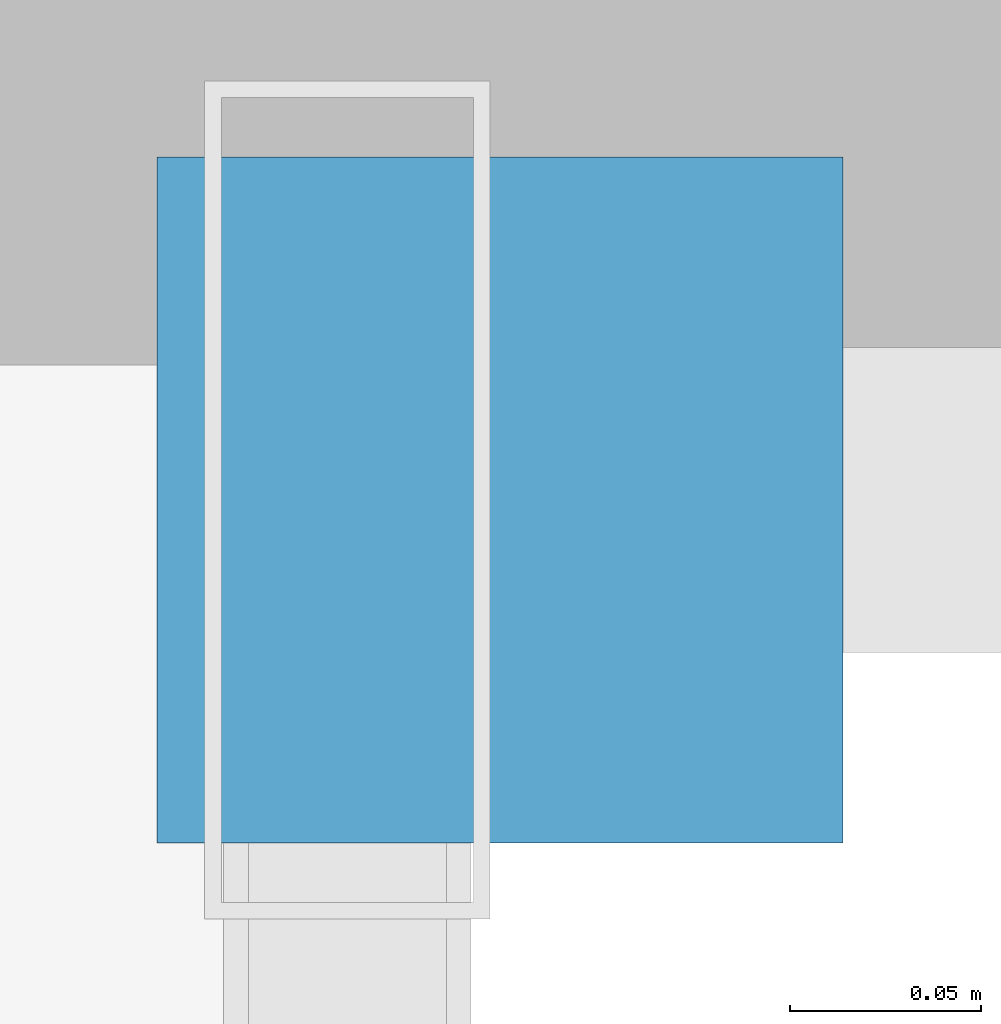
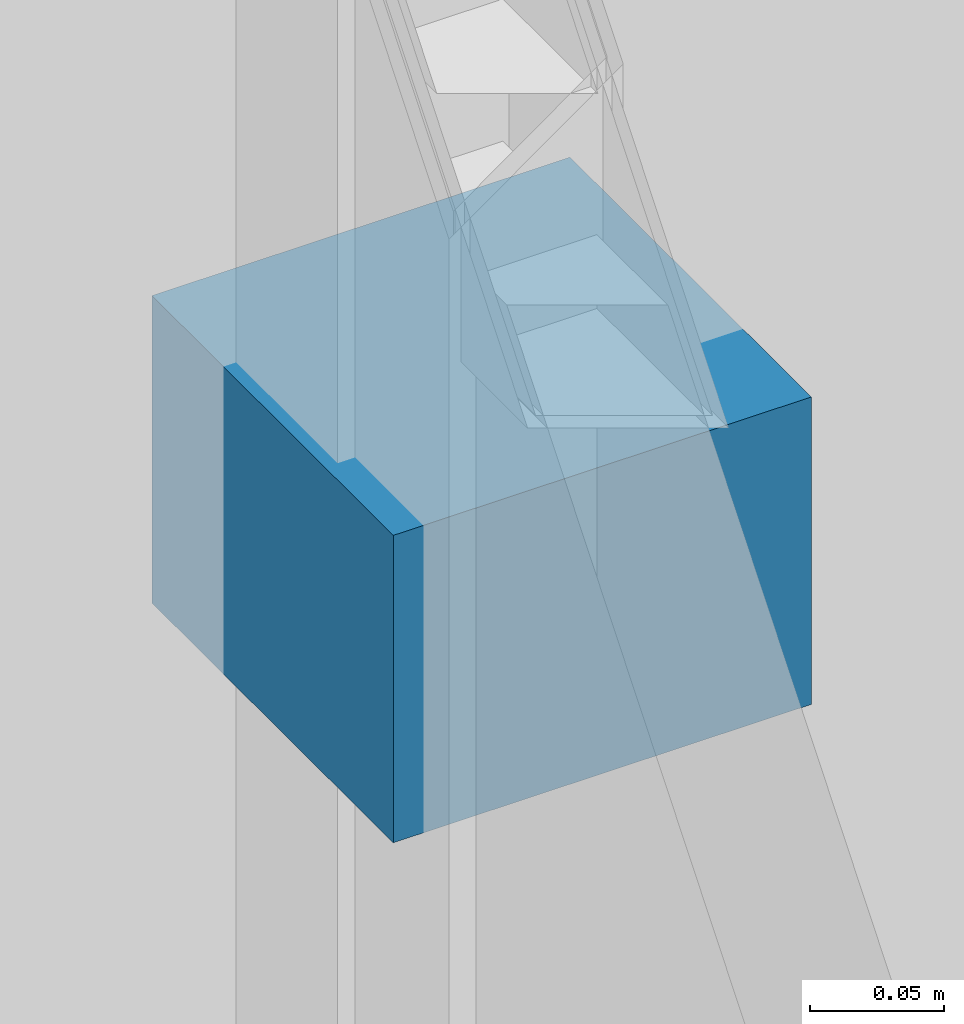
# One storey, part 35 of 41: 1 discrete accessory.
"""IFC4 building model written with IfcOpenShell, lengths in metres."""

from ifc_helpers import new_model, si_unit, direction, frame, origin, origin_2d, place, context, subcontext, project, spatial, rectangle, extrude, material, layer, layer_set, type_object, element, save


model = new_model("IFC4")

# Units and contexts
model_context = context("Model", 3, precision=1e-05, world=origin(), true_north=direction((0.0, 1.0)))
body_context = subcontext(model_context, "Body", "Model", "MODEL_VIEW")
ifc_project = project(units=[si_unit("LENGTHUNIT", "METRE"), si_unit("AREAUNIT", "SQUARE_METRE"), si_unit("VOLUMEUNIT", "CUBIC_METRE"), si_unit("PLANEANGLEUNIT", "RADIAN"), si_unit("MASSUNIT", "GRAM", prefix="KILO")], contexts=[model_context])

# Site, building, storey
site_placement = place(None, origin())
site = spatial("IfcSite", under=ifc_project, at=site_placement, CompositionType="ELEMENT")
building_placement = place(site_placement, origin())
building = spatial("IfcBuilding", under=site, at=building_placement, Name="Vaelkrest Opera House", CompositionType="ELEMENT")
storey_placement = place(building_placement, frame((0.0, 0.0, 24.60009765625)))
storey = spatial("IfcBuildingStorey", under=building, at=storey_placement, Name="L05", CompositionType="ELEMENT", Elevation=24.60009765625)

# Discrete accessory
ifc_material = material(Name="Steel A572 Gr50", Category="steel")
ifc_layer = layer(ifc_material, 0.139892578125)
ifc_layer_set = layer_set([ifc_layer], Name="Steel A572 Gr50")
discrete_accessory_type = type_object("IfcDiscreteAccessoryType", Name="BRK01", PredefinedType="BRACKET", material=ifc_layer_set)
discrete_accessory_placement = place(storey_placement, frame((30.0400390625, 0.864501953125, 2.455078125), z_axis=(0.0, 0.0, 1.0), x_axis=(1.0, 0.0, 0.0)))
element("IfcDiscreteAccessory", 1, at=discrete_accessory_placement, inside=storey, type_object=discrete_accessory_type, Name="Shading fin bracket 10", PredefinedType="BRACKET", context=body_context, shape_type="SweptSolid", body=[
    extrude(rectangle(XDim=0.179931640625, YDim=0.179931640625, at=origin_2d()), origin(), (0.0, 0.0, 1.0), 0.139892578125),
])

save(model, "model.ifc")
